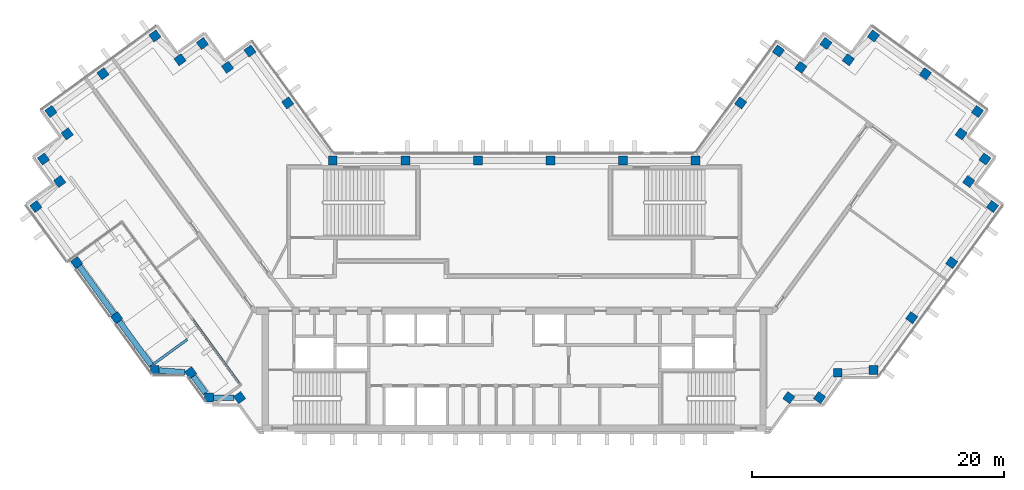
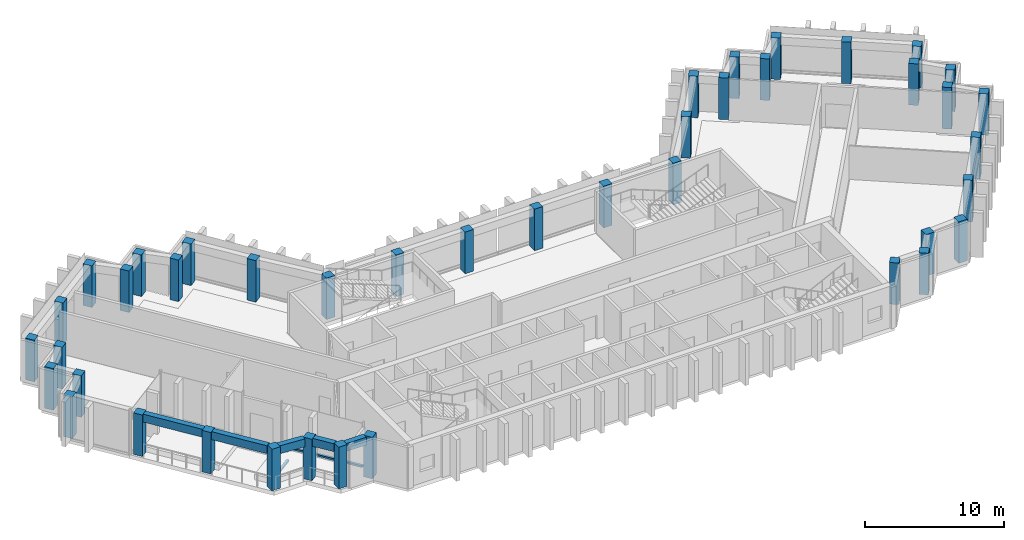
"""IFC4 building model written with IfcOpenShell, lengths in metres."""

import ifcopenshell
import ifcopenshell.guid

model = None  # the IFC model being written
_history = None  # IfcOwnerHistory: only IFC2X3 demands one
_inside = {}  # id of a spatial element -> (the spatial element, [elements in it])
_under = {}  # id of a project, library or spatial element -> (it, [spatial elements below it])
_declared = {}  # id of a project -> (the project, [libraries it declares])
_typed = {}  # id of a type object -> (the type object, [elements of that type])
_made_of = {}  # id of a material, layer set ... -> (it, [elements and type objects made of it])


def new_model(schema):
    """Start an empty IFC model of exactly this schema.

    Asked for "IFC4X3", IfcOpenShell would pick the latest addendum, in which some entities
    have other attributes; the version numbers below select the first issue.
    IFC2X3 requires an IfcOwnerHistory on every rooted entity: one is made here for all.
    """
    global model, _history
    if schema == "IFC4X3":
        model = ifcopenshell.file(schema_version=(4, 3, 0, 0))
    else:
        model = ifcopenshell.file(schema=schema)
    _inside.clear()
    _under.clear()
    _declared.clear()
    _typed.clear()
    _made_of.clear()
    _history = None
    if model.schema == "IFC2X3":
        org = make("IfcOrganization", Name="unknown")
        user = make(
            "IfcPersonAndOrganization",
            ThePerson=make("IfcPerson", FamilyName="unknown"),
            TheOrganization=org,
        )
        app = make(
            "IfcApplication",
            ApplicationDeveloper=org,
            Version="unknown",
            ApplicationFullName="unknown",
            ApplicationIdentifier="unknown",
        )
        _history = make(
            "IfcOwnerHistory",
            OwningUser=user,
            OwningApplication=app,
            ChangeAction="ADDED",
            CreationDate=0,
        )
    return model


def make(cls, **values):
    """One entity of the class cls with the attributes given. An attribute that is None is left unset."""
    return model.create_entity(
        cls, **{name: value for name, value in values.items() if value is not None}
    )


def rooted(cls, **values):
    """An entity with a GlobalId (a new one), such as an element, a storey or a relation."""
    return make(cls, GlobalId=ifcopenshell.guid.new(), OwnerHistory=_history, **values)


def si_unit(unit_type, name, prefix=None):
    """IfcSIUnit, for example si_unit("LENGTHUNIT", "METRE", prefix="MILLI")."""
    return make("IfcSIUnit", UnitType=unit_type, Prefix=prefix, Name=name)


def assignment(units):
    """IfcUnitAssignment: the units of a project."""
    return None if units is None else make("IfcUnitAssignment", Units=units)


def point(xyz):
    """IfcCartesianPoint."""
    return None if xyz is None else make("IfcCartesianPoint", Coordinates=xyz)


def direction(xyz):
    """IfcDirection."""
    return None if xyz is None else make("IfcDirection", DirectionRatios=xyz)


def frame(location, z_axis=None, x_axis=None):
    """IfcAxis2Placement3D, a coordinate frame: its origin and axes. An axis left out is left unset."""
    return make(
        "IfcAxis2Placement3D",
        Location=point(location),
        Axis=direction(z_axis),
        RefDirection=direction(x_axis),
    )


def frame_2d(location, x_axis=None):
    """IfcAxis2Placement2D, a coordinate frame in the plane: its origin and x axis."""
    return make(
        "IfcAxis2Placement2D", Location=point(location), RefDirection=direction(x_axis)
    )


def origin():
    """The frame at (0, 0, 0) with its axes left unset."""
    return frame((0.0, 0.0, 0.0))


def origin_2d():
    """The frame at (0, 0) in the plane with its x axis left unset."""
    return frame_2d((0.0, 0.0))


def place(relative_to, where):
    """IfcLocalPlacement: puts the frame where relative to a parent placement (None: the world)."""
    return make(
        "IfcLocalPlacement", PlacementRelTo=relative_to, RelativePlacement=where
    )


def context(
    kind, dimensions, precision=None, world=None, true_north=None, identifier=None
):
    """IfcGeometricRepresentationContext, for example the 3D "Model" context."""
    return make(
        "IfcGeometricRepresentationContext",
        ContextIdentifier=identifier,
        ContextType=kind,
        CoordinateSpaceDimension=dimensions,
        Precision=precision,
        WorldCoordinateSystem=world,
        TrueNorth=true_north,
    )


def subcontext(parent, identifier, kind, view, scale=None):
    """IfcGeometricRepresentationSubContext, for example "Body" below "Model"."""
    return make(
        "IfcGeometricRepresentationSubContext",
        ContextIdentifier=identifier,
        ContextType=kind,
        ParentContext=parent,
        TargetScale=scale,
        TargetView=view,
    )


def project(units=None, contexts=None):
    """IfcProject with its units and contexts."""
    return rooted(
        "IfcProject",
        Name="project",
        RepresentationContexts=contexts,
        UnitsInContext=assignment(units),
    )


def spatial(cls, under=None, at=None, **own):
    """A site, building, storey or space (cls), placed at a placement, below another one or the project."""
    s = rooted(cls, ObjectPlacement=at, **own)
    if under is not None:
        _under.setdefault(under.id(), (under, []))[1].append(s)
    return s


def profile(cls, at=None, kind="AREA", **sizes):
    """A parametric profile (cls). Its sizes go by their IFC names, for example OverallWidth=200.0."""
    return make(cls, ProfileType=kind, Position=at, **sizes)


def rectangle(**sizes):
    """IfcRectangleProfileDef."""
    return profile("IfcRectangleProfileDef", **sizes)


def extrude(swept, where, along, depth):
    """IfcExtrudedAreaSolid: the profile swept, set in the frame where, extruded along a direction by depth."""
    return make(
        "IfcExtrudedAreaSolid",
        SweptArea=swept,
        Position=where,
        ExtrudedDirection=direction(along),
        Depth=depth,
    )


def shape(context_of_items, identifier, shape_type, items):
    """IfcShapeRepresentation: the items that make up one representation, for example the "Body"."""
    return make(
        "IfcShapeRepresentation",
        ContextOfItems=context_of_items,
        RepresentationIdentifier=identifier,
        RepresentationType=shape_type,
        Items=items,
    )


def material(Name=None, Category=None):
    """IfcMaterial."""
    return make("IfcMaterial", Name=Name, Category=Category)


def material_profile(
    of_material, cross_section, Name=None, Category=None, Priority=None
):
    """IfcMaterialProfile: a cross section and its material."""
    return make(
        "IfcMaterialProfile",
        Name=Name,
        Material=of_material,
        Profile=cross_section,
        Priority=Priority,
        Category=Category,
    )


def profile_set(profiles, Name=None, composite=None):
    """IfcMaterialProfileSet."""
    return make(
        "IfcMaterialProfileSet",
        Name=Name,
        MaterialProfiles=profiles,
        CompositeProfile=composite,
    )


def made_of(thing, what):
    """Note that an element or type object is made of a material, layer set ...; save() writes the relation."""
    if what is not None:
        _made_of.setdefault(what.id(), (what, []))[1].append(thing)
    return thing


def type_object(cls, material=None, **own):
    """A type object (cls), such as IfcWallType, which elements share."""
    return made_of(rooted(cls, **own), material)


def element(
    cls,
    number,
    at=None,
    inside=None,
    cuts=None,
    type_object=None,
    material=None,
    context=None,
    identifier="Body",
    shape_type=None,
    held_by="IfcProductDefinitionShape",
    body=None,
    shapes=None,
    **own,
):
    """One element of the class cls, such as IfcWall. Its Tag is "e" and its number.

    at: its placement. inside: the storey or other place that contains it. cuts: it is an
    opening in that element (IfcRelVoidsElement). A single representation is given by context,
    identifier, shape_type and body (its items); several are given by shapes. held_by: the class
    of the entity that holds the representations. save() writes the other relations.
    """
    e = rooted(cls, Tag="e%d" % number, ObjectPlacement=at, **own)
    if body is not None:
        shapes = [shape(context, identifier, shape_type, body)]
    if shapes is not None:
        e.Representation = make(held_by, Representations=shapes)
    if inside is not None:
        _inside.setdefault(inside.id(), (inside, []))[1].append(e)
    if cuts is not None:
        rooted(
            "IfcRelVoidsElement", RelatingBuildingElement=cuts, RelatedOpeningElement=e
        )
    if type_object is not None:
        _typed.setdefault(type_object.id(), (type_object, []))[1].append(e)
    return made_of(e, material)


def aggregate(whole, parts):
    """IfcRelAggregates: a whole, such as a stair, and the parts it consists of."""
    return rooted("IfcRelAggregates", RelatingObject=whole, RelatedObjects=parts)


def save(model, path):
    """Write the relations noted so far, then the file.

    IfcRelAggregates (storeys below a building ...), IfcRelContainedInSpatialStructure (elements
    in a storey), IfcRelDefinesByType, IfcRelAssociatesMaterial and IfcRelDeclares: one each for
    every whole, place, type object, material and project.
    """
    for whole, parts in _under.values():
        aggregate(whole, parts)
    for where, things in _inside.values():
        rooted(
            "IfcRelContainedInSpatialStructure",
            RelatedElements=things,
            RelatingStructure=where,
        )
    for kind, things in _typed.values():
        rooted("IfcRelDefinesByType", RelatedObjects=things, RelatingType=kind)
    for what, things in _made_of.values():
        rooted("IfcRelAssociatesMaterial", RelatedObjects=things, RelatingMaterial=what)
    for by, libraries in _declared.values():
        rooted("IfcRelDeclares", RelatingContext=by, RelatedDefinitions=libraries)
    model.write(path)


model = new_model("IFC4")

# Units and contexts
model_context = context("Model", 3, precision=1e-05, world=origin(), true_north=direction((0.0, 1.0)))
body_context = subcontext(model_context, "Body", "Model", "MODEL_VIEW")
ifc_project = project(units=[si_unit("LENGTHUNIT", "METRE"), si_unit("AREAUNIT", "SQUARE_METRE"), si_unit("VOLUMEUNIT", "CUBIC_METRE"), si_unit("PLANEANGLEUNIT", "RADIAN"), si_unit("MASSUNIT", "GRAM", prefix="KILO")], contexts=[model_context])

# Site, building, storey
site_placement = place(None, origin())
site = spatial("IfcSite", under=ifc_project, at=site_placement, CompositionType="ELEMENT")
building_placement = place(site_placement, origin())
building = spatial("IfcBuilding", under=site, at=building_placement, Name="Quipu Civic Tower", CompositionType="ELEMENT")
storey_1_placement = place(building_placement, frame((0.0, 0.0, 265.0)))
storey_1 = spatial("IfcBuildingStorey", under=building, at=storey_1_placement, Name="L62", CompositionType="ELEMENT", Elevation=265.0)

# Columns
ifc_material_1 = material(Name="Concrete C50/60", Category="concrete")
ifc_material_profile_1 = material_profile(ifc_material_1, rectangle(XDim=0.699951171875, YDim=0.699951171875, at=origin_2d()), Name="RC700x700")
ifc_profile_set_1 = profile_set([ifc_material_profile_1], Name="Concrete C50/60")
column_type = type_object("IfcColumnType", Name="Perimeter column RC 700x700 C50/60", PredefinedType="COLUMN", material=ifc_profile_set_1)
for number, where, z_axis, x_axis, name in (
    (1, (-17.9736328125, 15.074951171875, 0.0), (0.0, 0.0, 1.0), (-0.587785252292, 0.809016994375, 0.0), "Column L62 W-IN-01"),
    (2, (-20.969970703125, 19.195068359375, 0.0), (0.0, 0.0, 1.0), (-0.587785252292, 0.809016994375, 0.0), "Column L62 T-Wi.0-W22"),
    (3, (-22.749267578125, 17.904296875, 0.0), (0.0, 0.0, 1.0), (-0.587785252292, 0.809016994375, 0.0), "Column L62 T-Wi.1-W22"),
    (4, (-24.739990234375, 19.794921875, 0.0), (0.0, 0.0, 1.0), (-0.587785252292, 0.809016994375, 0.0), "Column L62 T-Wi.2-W22"),
    (5, (-26.51904296875, 18.50048828125, 0.0), (0.0, 0.0, 1.0), (-0.587785252292, 0.809016994375, 0.0), "Column L62 T-Wi.3-W22"),
    (6, (-28.510009765625, 20.389892578125, 0.0), (0.0, 0.0, 1.0), (-0.809016994375, -0.587785252292, 0.0), "Column L62 T-Wi.4-W22"),
    (7, (-32.636962890625, 17.39306640625, 0.0), (0.0, 0.0, 1.0), (-0.809016994375, -0.587785252292, 0.0), "Column L62 TIP-W-01-W22"),
    (8, (-36.764892578125, 14.39501953125, 0.0), (0.0, 0.0, 1.0), (0.587785252292, -0.809016994375, 0.0), "Column L62 T-Wo.0-W22"),
    (9, (-35.470703125, 12.616455078125, 0.0), (0.0, 0.0, 1.0), (-0.809016994375, -0.587785252292, 0.0), "Column L62 T-Wo.1-W22"),
    (10, (-37.360107421875, 10.625, 0.0), (0.0, 0.0, 1.0), (0.587785252292, -0.809016994375, 0.0), "Column L62 T-Wo.2-W22"),
    (11, (-36.068115234375, 8.843994140625, 0.0), (0.0, 0.0, 1.0), (0.587785252292, -0.809016994375, 0.0), "Column L62 T-Wo.3-W22"),
    (12, (-37.9599609375, 6.85498046875, 0.0), (0.0, 0.0, 1.0), (0.587785252292, -0.809016994375, 0.0), "Column L62 T-Wo.4-W22"),
    (13, (-34.722412109375, 2.39990234375, 0.0), (0.0, 0.0, 1.0), (0.587785252292, -0.809016994375, 0.0), "Column L62 W-OUT-02"),
    (14, (-31.54833984375, -1.96875, 0.0), (0.0, 0.0, 1.0), (0.587785252292, -0.809016994375, 0.0), "Column L62 W-OUT-01"),
    (15, (-28.52490234375, -6.1298828125, 0.0), (0.0, 0.0, 1.0), (1.0, 0.0, 0.0), "Column L62 J-Wo.0"),
    (16, (-25.67431640625, -6.3369140625, 0.0), (0.0, 0.0, 1.0), (0.587785252292, -0.809016994375, 0.0), "Column L62 J-Wo.1"),
    (17, (-24.235107421875, -8.31494140625, 0.0), (0.0, 0.0, 1.0), (1.0, 0.0, 0.0), "Column L62 J-Wo.2"),
    (18, (-21.791748046875, -8.31494140625, 0.0), (0.0, 0.0, 1.0), (0.587785252292, -0.809016994375, 0.0), "Column L62 J-Wo.3"),
    (19, (21.791748046875, -8.31494140625, 0.0), (0.0, 0.0, 1.0), (0.587785252292, 0.809016994375, 0.0), "Column L62 J-Eo.1"),
    (20, (24.235107421875, -8.31494140625, 0.0), (0.0, 0.0, 1.0), (0.587785252292, 0.809016994375, 0.0), "Column L62 J-Eo.2"),
    (21, (25.67431640625, -6.3369140625, 0.0), (0.0, 0.0, 1.0), (1.0, 0.0, 0.0), "Column L62 J-Eo.3"),
    (22, (28.52490234375, -6.1298828125, 0.0), (0.0, 0.0, 1.0), (1.0, 0.0, 0.0), "Column L62 J-Eo.4"),
    (23, (31.54833984375, -1.96875, 0.0), (0.0, 0.0, 1.0), (0.587785252292, 0.809016994375, 0.0), "Column L62 E-OUT-01"),
    (24, (34.722412109375, 2.39990234375, 0.0), (0.0, 0.0, 1.0), (0.587785252292, 0.809016994375, 0.0), "Column L62 E-OUT-02"),
    (25, (37.9599609375, 6.85498046875, 0.0), (0.0, 0.0, 1.0), (0.587785252292, 0.809016994375, 0.0), "Column L62 T-Eo.0-E22"),
    (26, (36.068115234375, 8.843994140625, 0.0), (0.0, 0.0, 1.0), (0.587785252292, 0.809016994375, 0.0), "Column L62 T-Eo.1-E22"),
    (27, (37.360107421875, 10.625, 0.0), (0.0, 0.0, 1.0), (0.587785252292, 0.809016994375, 0.0), "Column L62 T-Eo.2-E22"),
    (28, (35.470703125, 12.616455078125, 0.0), (0.0, 0.0, 1.0), (-0.809016994375, 0.587785252292, 0.0), "Column L62 T-Eo.3-E22"),
    (29, (36.764892578125, 14.39501953125, 0.0), (0.0, 0.0, 1.0), (-0.809016994375, 0.587785252292, 0.0), "Column L62 T-Eo.4-E22"),
    (30, (32.636962890625, 17.39306640625, 0.0), (0.0, 0.0, 1.0), (-0.809016994375, 0.587785252292, 0.0), "Column L62 TIP-E-01-E22"),
    (31, (28.510009765625, 20.389892578125, 0.0), (0.0, 0.0, 1.0), (-0.587785252292, -0.809016994375, 0.0), "Column L62 T-Ei.0-E22"),
    (32, (26.51904296875, 18.50048828125, 0.0), (0.0, 0.0, 1.0), (-0.809016994375, 0.587785252292, 0.0), "Column L62 T-Ei.1-E22"),
    (33, (24.739990234375, 19.794921875, 0.0), (0.0, 0.0, 1.0), (-0.587785252292, -0.809016994375, 0.0), "Column L62 T-Ei.2-E22"),
    (34, (22.749267578125, 17.904296875, 0.0), (0.0, 0.0, 1.0), (-0.587785252292, -0.809016994375, 0.0), "Column L62 T-Ei.3-E22"),
    (35, (20.969970703125, 19.195068359375, 0.0), (0.0, 0.0, 1.0), (-0.587785252292, -0.809016994375, 0.0), "Column L62 T-Ei.4-E22"),
    (36, (17.9736328125, 15.074951171875, 0.0), (0.0, 0.0, 1.0), (-0.587785252292, -0.809016994375, 0.0), "Column L62 E-IN-01"),
    (37, (14.395263671875, 10.5, 0.0), (0.0, 0.0, 1.0), (-1.0, 0.0, 0.0), "Column L62 J-Ei.0"),
    (38, (8.63720703125, 10.5, 0.0), (0.0, 0.0, 1.0), (-1.0, 0.0, 0.0), "Column L62 FRONT-01"),
    (39, (2.87890625, 10.5, 0.0), (0.0, 0.0, 1.0), (-1.0, 0.0, 0.0), "Column L62 FRONT-02"),
    (40, (-2.87890625, 10.5, 0.0), (0.0, 0.0, 1.0), (-1.0, 0.0, 0.0), "Column L62 FRONT-03"),
    (41, (-8.63720703125, 10.5, 0.0), (0.0, 0.0, 1.0), (-1.0, 0.0, 0.0), "Column L62 FRONT-04"),
    (42, (-14.395263671875, 10.5, 0.0), (0.0, 0.0, 1.0), (-1.0, 0.0, 0.0), "Column L62 J-Wi.0"),
):
    element("IfcColumn", number, at=place(storey_1_placement, frame(where, z_axis=z_axis, x_axis=x_axis)), inside=storey_1, type_object=column_type, Name=name, PredefinedType="COLUMN", context=body_context, shape_type="SweptSolid", body=[
        extrude(rectangle(XDim=0.699951171875, YDim=0.699951171875, at=origin_2d()), origin(), (0.0, 0.0, 1.0), 3.64990234375),
    ])

# Beams
ifc_material_2 = material(Name="Concrete C50/60", Category="concrete")
ifc_material_profile_2 = material_profile(ifc_material_2, rectangle(XDim=0.449951171875, YDim=0.699951171875, at=origin_2d()), Name="RC450x700")
ifc_profile_set_2 = profile_set([ifc_material_profile_2], Name="Concrete C50/60")
beam_type = type_object("IfcBeamType", Name="Spandrel beam RC 450x700 C50/60", PredefinedType="SPANDREL", material=ifc_profile_set_2)
beam_1_placement = place(storey_1_placement, frame((-34.5166015625, 2.116943359375, 3.300048828125), z_axis=(0.587788656305, -0.809014521204, 0.0), x_axis=(0.809014521204, 0.587788656305, 0.0)))
element("IfcBeam", 43, at=beam_1_placement, inside=storey_1, type_object=beam_type, Name="Spandrel beam L62 W-OUT-02 to W-OUT-01", PredefinedType="SPANDREL", context=body_context, shape_type="SweptSolid", body=[
    extrude(rectangle(XDim=0.449951171875, YDim=0.699951171875, at=origin_2d()), origin(), (0.0, 0.0, 1.0), 4.7001953125),
])
beam_2_placement = place(storey_1_placement, frame((-31.342529296875, -2.251953125, 3.300048828125), z_axis=(0.58777550284, -0.809024077677, 0.0), x_axis=(0.809024077677, 0.58777550284, 0.0)))
element("IfcBeam", 44, at=beam_2_placement, inside=storey_1, type_object=beam_type, Name="Spandrel beam L62 W-OUT-01 to J-Wo.0", PredefinedType="SPANDREL", context=body_context, shape_type="SweptSolid", body=[
    extrude(rectangle(XDim=0.449951171875, YDim=0.699951171875, at=origin_2d()), origin(), (0.0, 0.0, 1.0), 4.36083984375),
])
beam_3_placement = place(storey_1_placement, frame((-28.175048828125, -6.155517578125, 3.300048828125), z_axis=(0.99737333325, -0.072432272649, 0.0), x_axis=(0.072432272649, 0.99737333325, 0.0)))
element("IfcBeam", 45, at=beam_3_placement, inside=storey_1, type_object=beam_type, Name="Spandrel beam L62 J-Wo.0 to J-Wo.1", PredefinedType="SPANDREL", context=body_context, shape_type="SweptSolid", body=[
    extrude(rectangle(XDim=0.449951171875, YDim=0.699951171875, at=origin_2d()), origin(), (0.0, 0.0, 1.0), 2.04931640625),
])
beam_4_placement = place(storey_1_placement, frame((-25.468505859375, -6.6201171875, 3.300048828125), z_axis=(0.588407300614, -0.80856468423, 0.0), x_axis=(0.80856468423, 0.588407300614, 0.0)))
element("IfcBeam", 46, at=beam_4_placement, inside=storey_1, type_object=beam_type, Name="Spandrel beam L62 J-Wo.1 to J-Wo.2", PredefinedType="SPANDREL", context=body_context, shape_type="SweptSolid", body=[
    extrude(rectangle(XDim=0.449951171875, YDim=0.699951171875, at=origin_2d()), origin(), (0.0, 0.0, 1.0), 1.663330078125),
])
beam_5_placement = place(storey_1_placement, frame((-23.885009765625, -8.31494140625, 3.300048828125), z_axis=(1.0, 0.0, 0.0), x_axis=(0.0, 1.0, 0.0)))
element("IfcBeam", 47, at=beam_5_placement, inside=storey_1, type_object=beam_type, Name="Spandrel beam L62 J-Wo.2 to J-Wo.3", PredefinedType="SPANDREL", context=body_context, shape_type="SweptSolid", body=[
    extrude(rectangle(XDim=0.449951171875, YDim=0.699951171875, at=origin_2d()), origin(), (0.0, 0.0, 1.0), 1.66064453125),
])

# Storey
storey_2_placement = place(building_placement, frame((0.0, 0.0, 261.0)))
storey_2 = spatial("IfcBuildingStorey", under=building, at=storey_2_placement, Name="L61", CompositionType="ELEMENT", Elevation=261.0)

# Curtain wall, member
ifc_material_3 = material(Name="Insulated glass unit", Category="glass")
curtain_wall_type = type_object("IfcCurtainWallType", Name="Office curtain wall CW1", PredefinedType="NOTDEFINED", material=ifc_material_3)
curtain_wall_1_placement = place(storey_2_placement, origin())
curtain_wall_1 = element("IfcCurtainWall", 48, at=curtain_wall_1_placement, inside=storey_2, type_object=curtain_wall_type, Name="Office curtain wall CW1 L61 run 6", PredefinedType="NOTDEFINED")
ifc_material_4 = material(Name="Anodised aluminium", Category="aluminium")
ifc_material_profile_3 = material_profile(ifc_material_4, rectangle(XDim=0.199951171875, YDim=0.159912109375, at=origin_2d()), Name="RECT 200x160")
ifc_profile_set_3 = profile_set([ifc_material_profile_3], Name="Anodised aluminium")
member_type = type_object("IfcMemberType", Name="Transom CW1", PredefinedType="USERDEFINED", material=ifc_profile_set_3)
member_1_placement = place(storey_1_placement, frame((-25.94091796875, -3.6982421875, 0.0), z_axis=(-0.809012312399, -0.587791696426, 0.0), x_axis=(0.587791696426, -0.809012312399, 0.0)))
member_1 = element("IfcMember", 49, at=member_1_placement, inside=storey_1, type_object=member_type, Name="CW1 transom 1.2", ObjectType="TRANSOM", PredefinedType="USERDEFINED", context=body_context, shape_type="SweptSolid", body=[
    extrude(rectangle(XDim=0.199951171875, YDim=0.159912109375, at=origin_2d()), origin(), (0.0, 0.0, 1.0), 3.323974609375),
])
aggregate(curtain_wall_1, [member_1])

curtain_wall_2_placement = place(storey_1_placement, origin())
curtain_wall_2 = element("IfcCurtainWall", 50, at=curtain_wall_2_placement, inside=storey_1, type_object=curtain_wall_type, Name="Office curtain wall CW1 L62 run 5", PredefinedType="NOTDEFINED")
member_2_placement = place(storey_1_placement, frame((-25.515625, -2.105712890625, 0.159912109375), z_axis=(0.587760684466, -0.809034843375, 0.0), x_axis=(0.809034843375, 0.587760684466, 0.0)))
member_2 = element("IfcMember", 51, at=member_2_placement, type_object=member_type, Name="CW1 transom 1.1", ObjectType="TRANSOM", PredefinedType="USERDEFINED", context=body_context, shape_type="SweptSolid", body=[
    extrude(rectangle(XDim=0.199951171875, YDim=0.159912109375, at=origin_2d()), origin(), (0.0, 0.0, 1.0), 6.358642578125),
])
aggregate(curtain_wall_2, [member_2])

save(model, "model.ifc")
